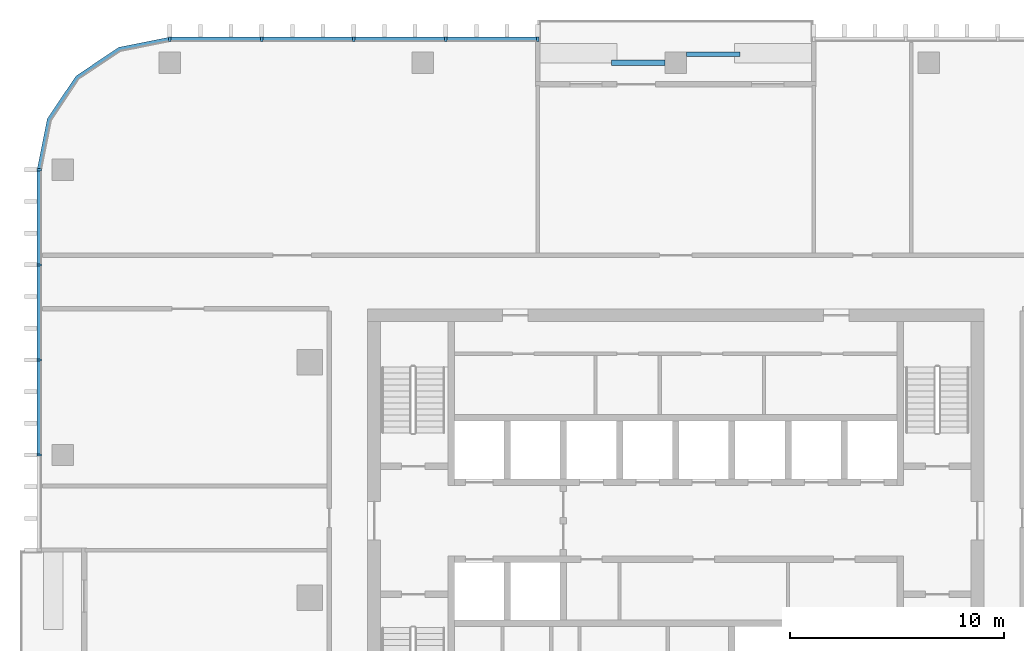
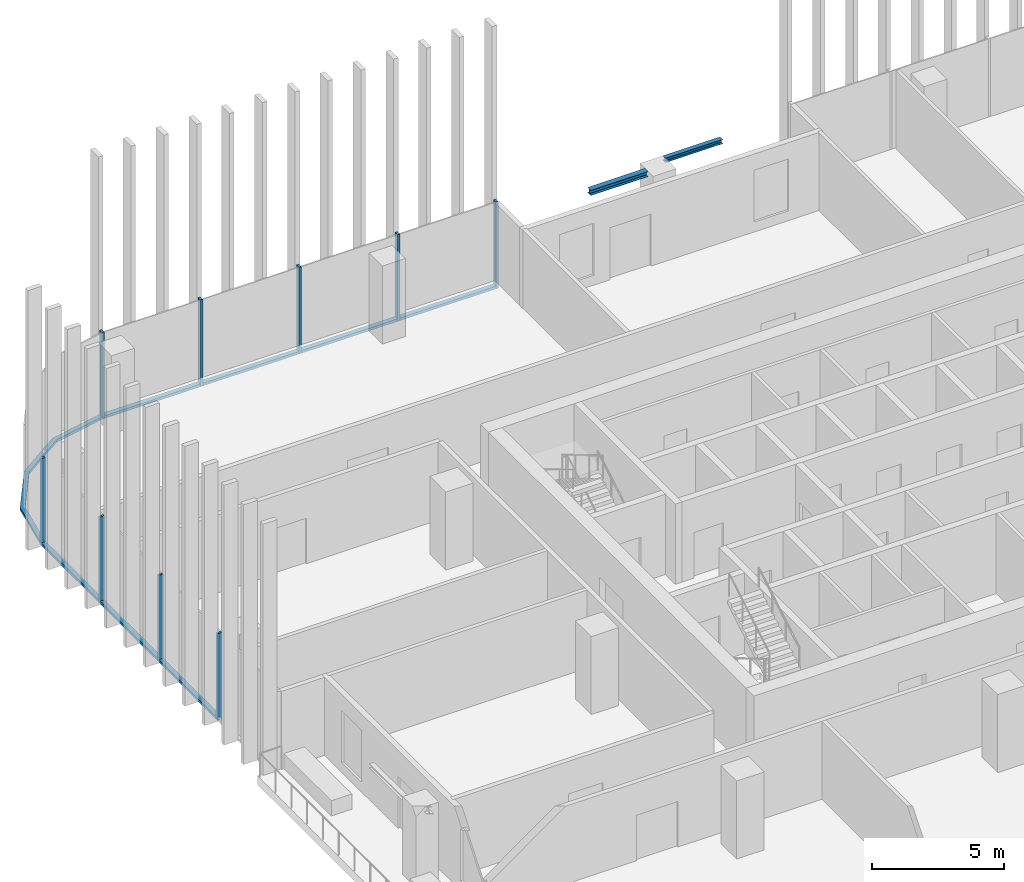
# One storey, part 4 of 16: 17 members, 2 beams, 3 elements without a shape of their own.
"""IFC4 building model written with IfcOpenShell, lengths in metres."""

from ifc_helpers import new_model, si_unit, direction, frame, origin, origin_2d, place, context, subcontext, project, spatial, polyline, rectangle, i_section, outline, extrude, material, material_profile, profile_set, type_object, element, aggregate, save


model = new_model("IFC4")

# Units and contexts
model_context = context("Model", 3, precision=1e-05, world=origin(), true_north=direction((0.0, 1.0)))
body_context = subcontext(model_context, "Body", "Model", "MODEL_VIEW")
ifc_project = project(units=[si_unit("LENGTHUNIT", "METRE"), si_unit("AREAUNIT", "SQUARE_METRE"), si_unit("VOLUMEUNIT", "CUBIC_METRE"), si_unit("PLANEANGLEUNIT", "RADIAN"), si_unit("MASSUNIT", "GRAM", prefix="KILO")], contexts=[model_context])

# Site, building, storey
site_placement = place(None, origin())
site = spatial("IfcSite", under=ifc_project, at=site_placement, CompositionType="ELEMENT")
building_placement = place(site_placement, origin())
building = spatial("IfcBuilding", under=site, at=building_placement, Name="Mopane Tessera Tower", CompositionType="ELEMENT")
storey_placement = place(building_placement, frame((0.0, 0.0, 279.39990234375)))
storey = spatial("IfcBuildingStorey", under=building, at=storey_placement, Name="L60", CompositionType="ELEMENT", Elevation=279.39990234375)

# Curtain wall, members
ifc_material_1 = material(Name="Aluminium frame", Category="aluminium")
curtain_wall_type = type_object("IfcCurtainWallType", Name="Unitised curtain wall", PredefinedType="NOTDEFINED", material=ifc_material_1)
curtain_wall_1_placement = place(storey_placement, origin())
curtain_wall_1 = element("IfcCurtainWall", 1, at=curtain_wall_1_placement, inside=storey, type_object=curtain_wall_type, Name="e:cw:L60:N:7", PredefinedType="NOTDEFINED")
ifc_material_2 = material(Name="Aluminium frame", Category="aluminium")
ifc_material_profile_1 = material_profile(ifc_material_2, rectangle(XDim=0.10009765625, YDim=0.199951171875, at=origin_2d()))
ifc_profile_set_1 = profile_set([ifc_material_profile_1], Name="Aluminium frame")
member_type_1 = type_object("IfcMemberType", Name="Aluminium mullion 100 x 200", PredefinedType="MULLION", material=ifc_profile_set_1)
member_1_placement = place(storey_placement, frame((-6.449951171875, 26.10009765625, -0.39990234375), z_axis=(0.0, 0.0, 1.0), x_axis=(-1.0, 0.0, 0.0)))
member_1 = element("IfcMember", 2, at=member_1_placement, type_object=member_type_1, Name="e:cw:L60:N:7:mu7", PredefinedType="MULLION", context=body_context, shape_type="SweptSolid", body=[
    extrude(rectangle(XDim=0.10009765625, YDim=0.199951171875, at=origin_2d()), origin(), (0.0, 0.0, 1.0), 4.0),
])
member_2_placement = place(storey_placement, frame((-10.75, 26.10009765625, -0.39990234375), z_axis=(0.0, 0.0, 1.0), x_axis=(-1.0, 0.0, 0.0)))
member_2 = element("IfcMember", 3, at=member_2_placement, type_object=member_type_1, Name="e:cw:L60:N:7:mu8", PredefinedType="MULLION", context=body_context, shape_type="SweptSolid", body=[
    extrude(rectangle(XDim=0.10009765625, YDim=0.199951171875, at=origin_2d()), origin(), (0.0, 0.0, 1.0), 4.0),
])
member_3_placement = place(storey_placement, frame((-15.050048828125, 26.10009765625, -0.39990234375), z_axis=(0.0, 0.0, 1.0), x_axis=(-1.0, 0.0, 0.0)))
member_3 = element("IfcMember", 4, at=member_3_placement, type_object=member_type_1, Name="e:cw:L60:N:7:mu9", PredefinedType="MULLION", context=body_context, shape_type="SweptSolid", body=[
    extrude(rectangle(XDim=0.10009765625, YDim=0.199951171875, at=origin_2d()), origin(), (0.0, 0.0, 1.0), 4.0),
])
member_4_placement = place(storey_placement, frame((-19.35009765625, 26.10009765625, -0.39990234375), z_axis=(0.0, 0.0, 1.0), x_axis=(-1.0, 0.0, 0.0)))
member_4 = element("IfcMember", 5, at=member_4_placement, type_object=member_type_1, Name="e:cw:L60:N:7:mu10", PredefinedType="MULLION", context=body_context, shape_type="SweptSolid", body=[
    extrude(rectangle(XDim=0.10009765625, YDim=0.199951171875, at=origin_2d()), origin(), (0.0, 0.0, 1.0), 4.0),
])
member_5_placement = place(storey_placement, frame((-23.64990234375, 26.10009765625, -0.39990234375), z_axis=(0.0, 0.0, 1.0), x_axis=(-1.0, 0.0, 0.0)))
member_5 = element("IfcMember", 6, at=member_5_placement, type_object=member_type_1, Name="e:cw:L60:N:7:mu11", PredefinedType="MULLION", context=body_context, shape_type="SweptSolid", body=[
    extrude(rectangle(XDim=0.10009765625, YDim=0.199951171875, at=origin_2d()), origin(), (0.0, 0.0, 1.0), 4.0),
])

curtain_wall_2_placement = place(storey_placement, origin())
curtain_wall_2 = element("IfcCurtainWall", 7, at=curtain_wall_2_placement, inside=storey, type_object=curtain_wall_type, Name="e:cw:L60:W:0", PredefinedType="NOTDEFINED")
member_6_placement = place(storey_placement, frame((-29.75, 20.0, -0.39990234375), z_axis=(0.0, 0.0, 1.0), x_axis=(0.0, -1.0, 0.0)))
member_6 = element("IfcMember", 8, at=member_6_placement, type_object=member_type_1, Name="e:cw:L60:W:0:mu0", PredefinedType="MULLION", context=body_context, shape_type="SweptSolid", body=[
    extrude(rectangle(XDim=0.10009765625, YDim=0.199951171875, at=origin_2d()), origin(), (0.0, 0.0, 1.0), 4.0),
])
member_7_placement = place(storey_placement, frame((-29.75, 15.5556640625, -0.39990234375), z_axis=(0.0, 0.0, 1.0), x_axis=(0.0, -1.0, 0.0)))
member_7 = element("IfcMember", 9, at=member_7_placement, type_object=member_type_1, Name="e:cw:L60:W:0:mu1", PredefinedType="MULLION", context=body_context, shape_type="SweptSolid", body=[
    extrude(rectangle(XDim=0.10009765625, YDim=0.199951171875, at=origin_2d()), origin(), (0.0, 0.0, 1.0), 4.0),
])
member_8_placement = place(storey_placement, frame((-29.75, 11.111083984375, -0.39990234375), z_axis=(0.0, 0.0, 1.0), x_axis=(0.0, -1.0, 0.0)))
member_8 = element("IfcMember", 10, at=member_8_placement, type_object=member_type_1, Name="e:cw:L60:W:0:mu2", PredefinedType="MULLION", context=body_context, shape_type="SweptSolid", body=[
    extrude(rectangle(XDim=0.10009765625, YDim=0.199951171875, at=origin_2d()), origin(), (0.0, 0.0, 1.0), 4.0),
])
member_9_placement = place(storey_placement, frame((-29.75, 6.666748046875, -0.39990234375), z_axis=(0.0, 0.0, 1.0), x_axis=(0.0, -1.0, 0.0)))
member_9 = element("IfcMember", 11, at=member_9_placement, type_object=member_type_1, Name="e:cw:L60:W:0:mu3", PredefinedType="MULLION", context=body_context, shape_type="SweptSolid", body=[
    extrude(rectangle(XDim=0.10009765625, YDim=0.199951171875, at=origin_2d()), origin(), (0.0, 0.0, 1.0), 4.0),
])

# Member
ifc_material_3 = material(Name="Aluminium frame", Category="aluminium")
ifc_material_profile_2 = material_profile(ifc_material_3, rectangle(XDim=0.199951171875, YDim=0.1201171875, at=origin_2d()))
ifc_profile_set_2 = profile_set([ifc_material_profile_2], Name="Aluminium frame")
member_type_2 = type_object("IfcMemberType", Name="Aluminium transom 200 x 120", PredefinedType="USERDEFINED", material=ifc_profile_set_2)
member_10_placement = place(storey_placement, frame((-6.5, 26.10009765625, -0.33984375), z_axis=(-1.0, 0.0, 0.0), x_axis=(0.0, -1.0, 0.0)))
member_10 = element("IfcMember", 12, at=member_10_placement, type_object=member_type_2, Name="e:cw:L60:N:7:tr7", ObjectType="TRANSOM", PredefinedType="USERDEFINED", context=body_context, shape_type="SweptSolid", body=[
    extrude(rectangle(XDim=0.199951171875, YDim=0.1201171875, at=origin_2d()), origin(), (0.0, 0.0, 1.0), 4.199951171875),
])

member_11_placement = place(storey_placement, frame((-10.800048828125, 26.10009765625, -0.33984375), z_axis=(-1.0, 0.0, 0.0), x_axis=(0.0, -1.0, 0.0)))
member_11 = element("IfcMember", 13, at=member_11_placement, type_object=member_type_2, Name="e:cw:L60:N:7:tr8", ObjectType="TRANSOM", PredefinedType="USERDEFINED", context=body_context, shape_type="SweptSolid", body=[
    extrude(rectangle(XDim=0.199951171875, YDim=0.1201171875, at=origin_2d()), origin(), (0.0, 0.0, 1.0), 4.199951171875),
])

member_12_placement = place(storey_placement, frame((-15.10009765625, 26.10009765625, -0.33984375), z_axis=(-1.0, 0.0, 0.0), x_axis=(0.0, -1.0, 0.0)))
member_12 = element("IfcMember", 14, at=member_12_placement, type_object=member_type_2, Name="e:cw:L60:N:7:tr9", ObjectType="TRANSOM", PredefinedType="USERDEFINED", context=body_context, shape_type="SweptSolid", body=[
    extrude(rectangle(XDim=0.199951171875, YDim=0.1201171875, at=origin_2d()), origin(), (0.0, 0.0, 1.0), 4.199951171875),
])

member_13_placement = place(storey_placement, frame((-19.39990234375, 26.10009765625, -0.33984375), z_axis=(-1.0, 0.0, 0.0), x_axis=(0.0, -1.0, 0.0)))
member_13 = element("IfcMember", 15, at=member_13_placement, type_object=member_type_2, Name="e:cw:L60:N:7:tr10", ObjectType="TRANSOM", PredefinedType="USERDEFINED", context=body_context, shape_type="SweptSolid", body=[
    extrude(rectangle(XDim=0.199951171875, YDim=0.1201171875, at=origin_2d()), origin(), (0.0, 0.0, 1.0), 4.2001953125),
])

aggregate(curtain_wall_1, [member_1, member_2, member_3, member_4, member_5, member_10, member_11, member_12, member_13])

# Curtain wall, member
curtain_wall_3_placement = place(storey_placement, origin())
curtain_wall_3 = element("IfcCurtainWall", 16, at=curtain_wall_3_placement, inside=storey, type_object=curtain_wall_type, Name="e:cw:L60:CN", PredefinedType="NOTDEFINED")
member_14_placement = place(storey_placement, frame((0.0, 0.0, -0.39990234375)))
member_14 = element("IfcMember", 17, at=member_14_placement, type_object=member_type_2, Name="e:cw:L60:CN:tr", ObjectType="TRANSOM", PredefinedType="USERDEFINED", context=body_context, shape_type="SweptSolid", body=[
    extrude(outline(polyline([(-23.64990234375, 26.0), (-25.946044921875, 25.543212890625), (-27.892578125, 24.24267578125), (-29.193359375, 22.296142578125), (-29.64990234375, 20.0), (-29.85009765625, 20.0), (-29.378173828125, 22.37255859375), (-28.0341796875, 24.384033203125), (-26.022705078125, 25.72802734375), (-23.64990234375, 26.199951171875), (-23.64990234375, 26.0)])), origin(), (0.0, 0.0, 1.0), 0.1201171875),
])
aggregate(curtain_wall_3, [member_14])

# Member
member_15_placement = place(storey_placement, frame((-29.75, 19.949951171875, -0.33984375), z_axis=(0.0, -1.0, 0.0), x_axis=(1.0, 0.0, 0.0)))
member_15 = element("IfcMember", 18, at=member_15_placement, type_object=member_type_2, Name="e:cw:L60:W:0:tr0", ObjectType="TRANSOM", PredefinedType="USERDEFINED", context=body_context, shape_type="SweptSolid", body=[
    extrude(rectangle(XDim=0.199951171875, YDim=0.1201171875, at=origin_2d()), origin(), (0.0, 0.0, 1.0), 4.344482421875),
])

member_16_placement = place(storey_placement, frame((-29.75, 15.505615234375, -0.33984375), z_axis=(0.0, -1.0, 0.0), x_axis=(1.0, 0.0, 0.0)))
member_16 = element("IfcMember", 19, at=member_16_placement, type_object=member_type_2, Name="e:cw:L60:W:0:tr1", ObjectType="TRANSOM", PredefinedType="USERDEFINED", context=body_context, shape_type="SweptSolid", body=[
    extrude(rectangle(XDim=0.199951171875, YDim=0.1201171875, at=origin_2d()), origin(), (0.0, 0.0, 1.0), 4.344482421875),
])

member_17_placement = place(storey_placement, frame((-29.75, 11.06103515625, -0.33984375), z_axis=(0.0, -1.0, 0.0), x_axis=(1.0, 0.0, 0.0)))
member_17 = element("IfcMember", 20, at=member_17_placement, type_object=member_type_2, Name="e:cw:L60:W:0:tr2", ObjectType="TRANSOM", PredefinedType="USERDEFINED", context=body_context, shape_type="SweptSolid", body=[
    extrude(rectangle(XDim=0.199951171875, YDim=0.1201171875, at=origin_2d()), origin(), (0.0, 0.0, 1.0), 4.344482421875),
])

aggregate(curtain_wall_2, [member_6, member_7, member_8, member_9, member_15, member_16, member_17])

# Beams
ifc_material_4 = material(Name="Structural steel S460", Category="steel")
ifc_material_profile_3 = material_profile(ifc_material_4, i_section(OverallWidth=0.239990234375, OverallDepth=0.239990234375, WebThickness=0.010009765625, FlangeThickness=0.01708984375, FilletRadius=0.02099609375, at=origin_2d()))
ifc_profile_set_3 = profile_set([ifc_material_profile_3], Name="Structural steel S460")
beam_type_1 = type_object("IfcBeamType", Name="Terrace spandrel beam HE 240 B", PredefinedType="SPANDREL", material=ifc_profile_set_3)
beam_1_placement = place(storey_placement, frame((-0.5029296875, 25.0, 3.47998046875), z_axis=(-1.0, 0.0, 0.0), x_axis=(0.0, -1.0, 0.0)))
element("IfcBeam", 21, at=beam_1_placement, inside=storey, type_object=beam_type_1, Name="Terrace spandrel beam N2 L61", PredefinedType="SPANDREL", context=body_context, shape_type="SweptSolid", body=[
    extrude(i_section(OverallWidth=0.239990234375, OverallDepth=0.239990234375, WebThickness=0.010009765625, FlangeThickness=0.01708984375, FilletRadius=0.02099609375, at=origin_2d()), origin(), (0.0, 0.0, 1.0), 2.5),
])
ifc_material_5 = material(Name="Structural steel S460", Category="steel")
ifc_material_profile_4 = material_profile(ifc_material_5, i_section(OverallWidth=0.199951171875, OverallDepth=0.199951171875, WebThickness=0.009033203125, FlangeThickness=0.014892578125, FilletRadius=0.01806640625, at=origin_2d()))
ifc_profile_set_4 = profile_set([ifc_material_profile_4], Name="Structural steel S460")
beam_type_2 = type_object("IfcBeamType", Name="Terrace trimmer beam HE 200 B", PredefinedType="BEAM", material=ifc_profile_set_4)
beam_2_placement = place(storey_placement, frame((0.5029296875, 25.39990234375, 3.5), z_axis=(1.0, 0.0, 0.0), x_axis=(0.0, 1.0, 0.0)))
element("IfcBeam", 22, at=beam_2_placement, inside=storey, type_object=beam_type_2, Name="Terrace trimmer beam N2 L61", PredefinedType="BEAM", context=body_context, shape_type="SweptSolid", body=[
    extrude(i_section(OverallWidth=0.199951171875, OverallDepth=0.199951171875, WebThickness=0.009033203125, FlangeThickness=0.014892578125, FilletRadius=0.01806640625, at=origin_2d()), origin(), (0.0, 0.0, 1.0), 2.5),
])

save(model, "model.ifc")
